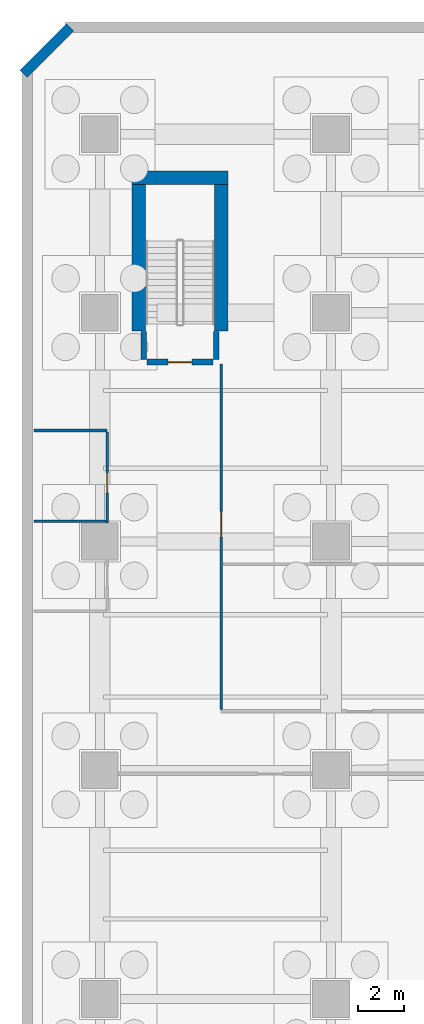
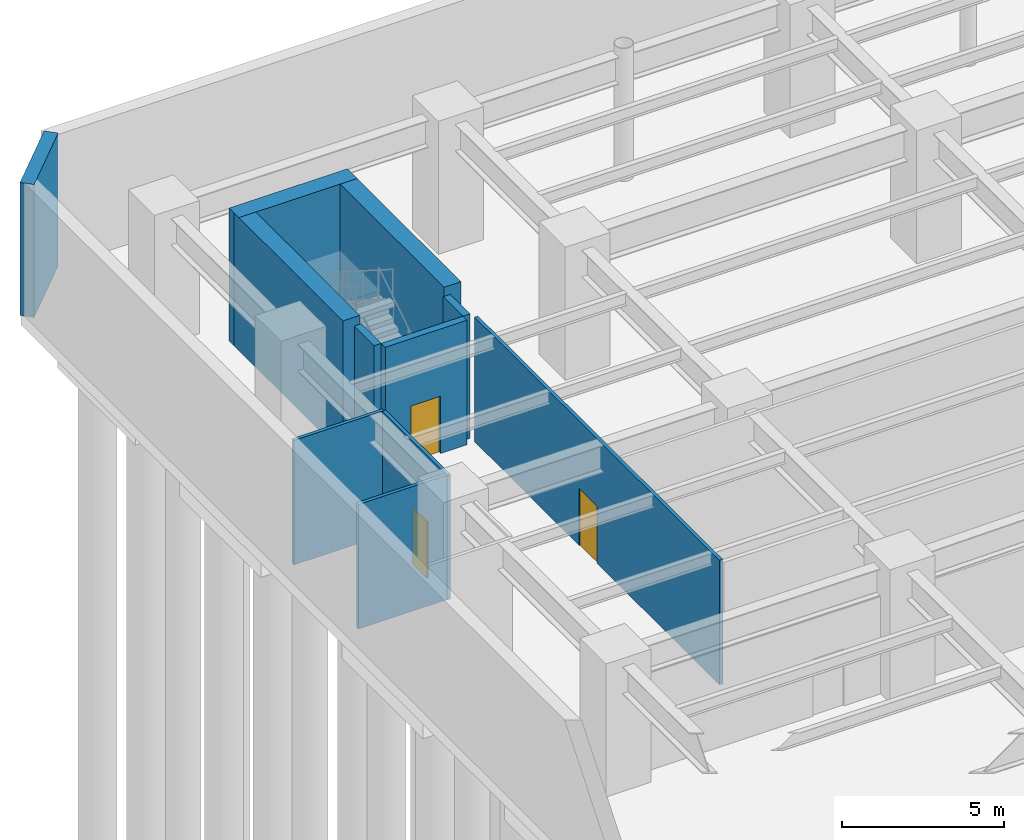
# One storey, part 10 of 15: 11 walls, 3 doors, 3 openings.
"""IFC4 building model written with IfcOpenShell, lengths in metres."""

from ifc_helpers import new_model, si_unit, direction, frame, frame_2d, origin, place, context, subcontext, project, spatial, rectangle, extrude, material, layer, layer_set, type_object, element, fill, save


model = new_model("IFC4")

# Units and contexts
model_context = context("Model", 3, precision=1e-05, world=origin(), true_north=direction((0.0, 1.0)))
body_context = subcontext(model_context, "Body", "Model", "MODEL_VIEW")
ifc_project = project(units=[si_unit("LENGTHUNIT", "METRE"), si_unit("AREAUNIT", "SQUARE_METRE"), si_unit("VOLUMEUNIT", "CUBIC_METRE"), si_unit("PLANEANGLEUNIT", "RADIAN"), si_unit("MASSUNIT", "GRAM", prefix="KILO")], contexts=[model_context])

# Site, building, storey
site_placement = place(None, origin())
site = spatial("IfcSite", under=ifc_project, at=site_placement, CompositionType="ELEMENT")
building_placement = place(site_placement, origin())
building = spatial("IfcBuilding", under=site, at=building_placement, Name="Quenlor Broadcast Tower", CompositionType="ELEMENT")
storey_placement = place(building_placement, frame((0.0, 0.0, -10.0)))
storey = spatial("IfcBuildingStorey", under=building, at=storey_placement, Name="B02", CompositionType="ELEMENT", Elevation=-10.0)

# Walls
ifc_material_1 = material(Name="Concrete C50/60", Category="concrete")
ifc_layer_1 = layer(ifc_material_1, 0.449951171875)
ifc_layer_set_1 = layer_set([ifc_layer_1], Name="Basement Concrete C50/60 Retaining Wall 450")
wall_type_1 = type_object("IfcWallType", Name="Basement Concrete C50/60 Retaining Wall 450", PredefinedType="USERDEFINED", material=ifc_layer_set_1)
wall_1_placement = place(storey_placement, frame((-37.93408203125, 25.44775390625, 0.0), z_axis=(0.0, 0.0, 1.0), x_axis=(0.707106781187, 0.707106781187, 0.0)))
element("IfcWall", 1, at=wall_1_placement, inside=storey, type_object=wall_type_1, Name="B02 Perimeter Retaining Wall 3", ObjectType="RETAININGWALL", PredefinedType="USERDEFINED", context=body_context, shape_type="SweptSolid", body=[
    extrude(rectangle(XDim=2.8671875, YDim=0.449951171875, at=frame_2d((1.43359375, 0.0))), origin(), (0.0, 0.0, 1.0), 5.0),
])
ifc_material_2 = material(Name="Concrete C65/80", Category="concrete")
ifc_layer_2 = layer(ifc_material_2, 0.60009765625)
ifc_layer_set_2 = layer_set([ifc_layer_2], Name="Core Concrete C65/80 Shear Wall 600")
wall_type_2 = type_object("IfcWallType", Name="Core Concrete C65/80 Shear Wall 600", PredefinedType="SHEAR", material=ifc_layer_set_2)
wall_2_placement = place(storey_placement, frame((-33.199951171875, 20.89990234375, 0.0), z_axis=(0.0, 0.0, 1.0), x_axis=(1.0, 0.0, 0.0)))
element("IfcWall", 2, at=wall_2_placement, inside=storey, type_object=wall_type_2, Name="B02 Core Shear Wall ST3-N", PredefinedType="SHEAR", context=body_context, shape_type="SweptSolid", body=[
    extrude(rectangle(XDim=4.199951171875, YDim=0.60009765625, at=frame_2d((2.10009765625, 0.0))), origin(), (0.0, 0.0, 1.0), 5.0),
])
for number, where, z_axis, x_axis, name in (
    (3, (-32.89990234375, 14.199951171875, 0.0), (0.0, 0.0, 1.0), (0.0, 1.0, 0.0), "B02 Core Shear Wall ST3-W"),
    (4, (-29.300048828125, 14.199951171875, 0.0), (0.0, 0.0, 1.0), (0.0, 1.0, 0.0), "B02 Core Shear Wall ST3-E"),
):
    element("IfcWall", number, at=place(storey_placement, frame(where, z_axis=z_axis, x_axis=x_axis)), inside=storey, type_object=wall_type_2, Name=name, PredefinedType="SHEAR", context=body_context, shape_type="SweptSolid", body=[
        extrude(rectangle(XDim=6.699951171875, YDim=0.60009765625, at=frame_2d((3.35009765625, 0.0))), origin(), (0.0, 0.0, 1.0), 5.0),
    ])

# Wall, opening, door
ifc_material_3 = material(Name="Concrete C40/50", Category="concrete")
ifc_layer_3 = layer(ifc_material_3, 0.25)
ifc_layer_set_3 = layer_set([ifc_layer_3], Name="Fire Rated Concrete C40/50 Core Wall 250")
wall_type_3 = type_object("IfcWallType", Name="Fire Rated Concrete C40/50 Core Wall 250", PredefinedType="PARTITIONING", material=ifc_layer_set_3)
wall_3_placement = place(storey_placement, frame((-32.550048828125, 12.840087890625, 0.0), z_axis=(0.0, 0.0, 1.0), x_axis=(1.0, 0.0, 0.0)))
wall_3 = element("IfcWall", 5, at=wall_3_placement, inside=storey, type_object=wall_type_3, Name="B02 Interior Wall CW-ST3-S", PredefinedType="PARTITIONING", context=body_context, shape_type="SweptSolid", body=[
    extrude(rectangle(XDim=2.900146484375, YDim=0.25, at=frame_2d((1.4501953125, 0.0))), origin(), (0.0, 0.0, 1.0), 4.679931640625),
])
opening_1_placement = place(wall_3_placement, frame((0.919921875, 0.0, 0.0)))
opening_1 = element("IfcOpeningElement", 6, at=opening_1_placement, cuts=wall_3, Name="Opening FD-1", PredefinedType="OPENING", context=body_context, shape_type="SweptSolid", body=[
    extrude(rectangle(XDim=1.050048828125, YDim=2.14990234375, at=frame_2d((0.52490234375, 1.074951171875))), frame((0.0, 0.135009765625, 0.0), z_axis=(0.0, -1.0, 0.0), x_axis=(1.0, 0.0, 0.0)), (0.0, 0.0, 1.0), 0.27001953125),
])
ifc_material_4 = material(Name="Fire Rated Steel Door Leaf", Category="steel")
door_type_1 = type_object("IfcDoorType", Name="Fire Isolated Stair Door 1050x2150", OperationType="NOTDEFINED", PredefinedType="DOOR", material=ifc_material_4)
door_1_placement = place(opening_1_placement, origin())
door_1 = element("IfcDoor", 7, at=door_1_placement, inside=storey, type_object=door_type_1, Name="B02 Door DR-ST3", OperationType="SINGLE_SWING_LEFT", OverallHeight=2.14990234375, OverallWidth=1.050048828125, PredefinedType="DOOR", context=body_context, shape_type="SweptSolid", body=[
    extrude(rectangle(XDim=1.050048828125, YDim=2.14990234375, at=frame_2d((0.52490234375, 1.074951171875))), frame((0.0, 0.02490234375, 0.0), z_axis=(0.0, -1.0, 0.0), x_axis=(1.0, 0.0, 0.0)), (0.0, 0.0, 1.0), 0.050048828125),
])
fill(opening_1, door_1)

# Walls
for number, where, z_axis, x_axis, name in (
    (8, (-32.679931640625, 12.9599609375, 0.0), (0.0, 0.0, 1.0), (0.0, 1.0, 0.0), "B02 Interior Wall CW-ST3-W1"),
    (9, (-29.52001953125, 12.9599609375, 0.0), (0.0, 0.0, 1.0), (0.0, 1.0, 0.0), "B02 Interior Wall CW-ST3-E1"),
):
    element("IfcWall", number, at=place(storey_placement, frame(where, z_axis=z_axis, x_axis=x_axis)), inside=storey, type_object=wall_type_3, Name=name, PredefinedType="PARTITIONING", context=body_context, shape_type="SweptSolid", body=[
        extrude(rectangle(XDim=1.219970703125, YDim=0.25, at=frame_2d((0.60986328125, 0.0))), origin(), (0.0, 0.0, 1.0), 4.679931640625),
    ])

# Wall, opening, door
ifc_material_5 = material(Name="Gypsum Plasterboard Partition", Category="other")
ifc_layer_4 = layer(ifc_material_5, 0.1201171875)
ifc_layer_set_4 = layer_set([ifc_layer_4], Name="Standard Office Partition 120")
wall_type_4 = type_object("IfcWallType", Name="Standard Office Partition 120", PredefinedType="PARTITIONING", material=ifc_layer_set_4)
wall_4_placement = place(storey_placement, frame((-29.300048828125, -2.337890625, 0.0), z_axis=(0.0, 0.0, 1.0), x_axis=(0.0, 1.0, 0.0)))
wall_4 = element("IfcWall", 10, at=wall_4_placement, inside=storey, type_object=wall_type_4, Name="B02 Interior Wall PW-PD-LW", PredefinedType="PARTITIONING", context=body_context, shape_type="SweptSolid", body=[
    extrude(rectangle(XDim=15.087890625, YDim=0.1201171875, at=frame_2d((7.5439453125, 0.0))), origin(), (0.0, 0.0, 1.0), 4.679931640625),
])
opening_2_placement = place(wall_4_placement, frame((7.5380859375, 0.0, 0.0)))
opening_2 = element("IfcOpeningElement", 11, at=opening_2_placement, cuts=wall_4, Name="Opening ID-2", PredefinedType="OPENING", context=body_context, shape_type="SweptSolid", body=[
    extrude(rectangle(XDim=1.10009765625, YDim=2.14990234375, at=frame_2d((0.550048828125, 1.074951171875))), frame((0.0, 0.070068359375, 0.0), z_axis=(0.0, -1.0, 0.0), x_axis=(1.0, 0.0, 0.0)), (0.0, 0.0, 1.0), 0.14013671875),
])
ifc_material_6 = material(Name="Acoustic Laminated Timber Oak", Category="wood")
door_type_2 = type_object("IfcDoorType", Name="Wide Studio Acoustic Timber Door 1100x2150", OperationType="NOTDEFINED", PredefinedType="DOOR", material=ifc_material_6)
door_2_placement = place(opening_2_placement, origin())
door_2 = element("IfcDoor", 12, at=door_2_placement, inside=storey, type_object=door_type_2, Name="B02 Door DR-PD5", OperationType="SINGLE_SWING_LEFT", OverallHeight=2.14990234375, OverallWidth=1.10009765625, PredefinedType="DOOR", context=body_context, shape_type="SweptSolid", body=[
    extrude(rectangle(XDim=1.10009765625, YDim=2.14990234375, at=frame_2d((0.550048828125, 1.074951171875))), frame((0.0, 0.02490234375, 0.0), z_axis=(0.0, -1.0, 0.0), x_axis=(1.0, 0.0, 0.0)), (0.0, 0.0, 1.0), 0.050048828125),
])
fill(opening_2, door_2)

wall_5_placement = place(storey_placement, frame((-34.280029296875, 5.802001953125, 0.0), z_axis=(0.0, 0.0, 1.0), x_axis=(0.0, 1.0, 0.0)))
wall_5 = element("IfcWall", 13, at=wall_5_placement, inside=storey, type_object=wall_type_4, Name="B02 Interior Wall PW-PD-WCES2", PredefinedType="PARTITIONING", context=body_context, shape_type="SweptSolid", body=[
    extrude(rectangle(XDim=3.988037109375, YDim=0.1201171875, at=frame_2d((1.994140625, 0.0))), origin(), (0.0, 0.0, 1.0), 4.679931640625),
])
opening_3_placement = place(wall_5_placement, frame((1.30810546875, 0.0, 0.0)))
opening_3 = element("IfcOpeningElement", 14, at=opening_3_placement, cuts=wall_5, Name="Opening ID-3", PredefinedType="OPENING", context=body_context, shape_type="SweptSolid", body=[
    extrude(rectangle(XDim=0.89990234375, YDim=2.1201171875, at=frame_2d((0.449951171875, 1.06005859375))), frame((0.0, 0.070068359375, 0.0), z_axis=(0.0, -1.0, 0.0), x_axis=(1.0, 0.0, 0.0)), (0.0, 0.0, 1.0), 0.14013671875),
])
ifc_material_7 = material(Name="Moisture Resistant Timber Oak", Category="wood")
door_type_3 = type_object("IfcDoorType", Name="Washroom Privacy Door 900x2120", OperationType="NOTDEFINED", PredefinedType="DOOR", material=ifc_material_7)
door_3_placement = place(opening_3_placement, origin())
door_3 = element("IfcDoor", 15, at=door_3_placement, inside=storey, type_object=door_type_3, Name="B02 Door DR-PD-FWC", OperationType="SINGLE_SWING_RIGHT", OverallHeight=2.1201171875, OverallWidth=0.89990234375, PredefinedType="DOOR", context=body_context, shape_type="SweptSolid", body=[
    extrude(rectangle(XDim=0.89990234375, YDim=2.1201171875, at=frame_2d((0.449951171875, 1.06005859375))), frame((0.0, 0.02490234375, 0.0), z_axis=(0.0, -1.0, 0.0), x_axis=(1.0, 0.0, 0.0)), (0.0, 0.0, 1.0), 0.050048828125),
])
fill(opening_3, door_3)

# Walls
wall_6_placement = place(storey_placement, frame((-37.489990234375, 5.8798828125, 0.0), z_axis=(0.0, 0.0, 1.0), x_axis=(1.0, 0.0, 0.0)))
element("IfcWall", 16, at=wall_6_placement, inside=storey, type_object=wall_type_4, Name="B02 Interior Wall PW-PD-WCM", PredefinedType="PARTITIONING", context=body_context, shape_type="SweptSolid", body=[
    extrude(rectangle(XDim=3.14794921875, YDim=0.1201171875, at=frame_2d((1.573974609375, 0.0))), origin(), (0.0, 0.0, 1.0), 4.679931640625),
])
wall_7_placement = place(storey_placement, frame((-37.489990234375, 9.85009765625, 0.0), z_axis=(0.0, 0.0, 1.0), x_axis=(1.0, 0.0, 0.0)))
element("IfcWall", 17, at=wall_7_placement, inside=storey, type_object=wall_type_4, Name="B02 Interior Wall PW-PD-WCN", PredefinedType="PARTITIONING", context=body_context, shape_type="SweptSolid", body=[
    extrude(rectangle(XDim=3.2099609375, YDim=0.1201171875, at=frame_2d((1.60498046875, 0.0))), origin(), (0.0, 0.0, 1.0), 4.679931640625),
])

save(model, "model.ifc")
